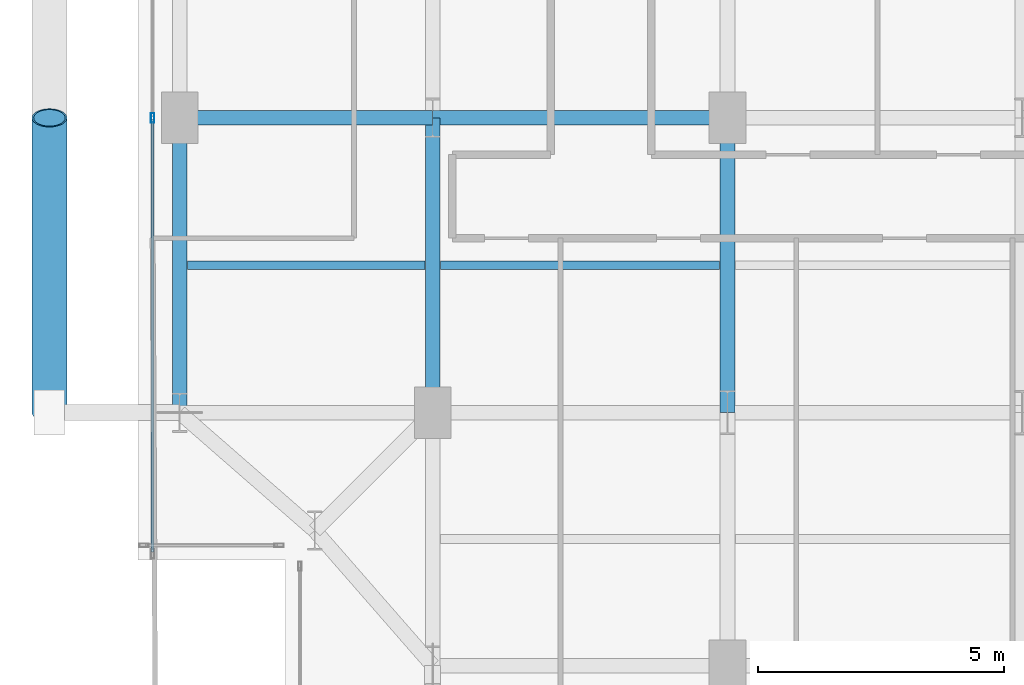
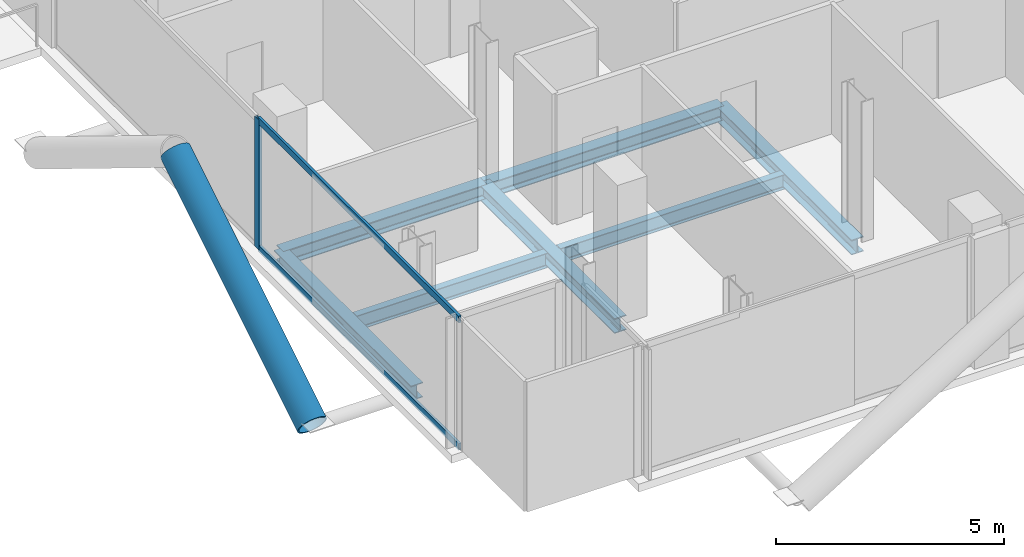
# One storey, part 3 of 26: 7 beams, 4 members, 1 element without a shape of its own.
"""IFC4 building model written with IfcOpenShell, lengths in metres."""

from ifc_helpers import new_model, si_unit, direction, frame, origin, origin_2d, place, context, subcontext, project, spatial, hollow_rectangle, hollow_circle, i_section, extrude, material, layer, layer_set, material_profile, profile_set, type_object, element, aggregate, save


model = new_model("IFC4")

# Units and contexts
model_context = context("Model", 3, precision=1e-05, world=origin(), true_north=direction((0.0, 1.0)))
body_context = subcontext(model_context, "Body", "Model", "MODEL_VIEW")
ifc_project = project(units=[si_unit("LENGTHUNIT", "METRE"), si_unit("AREAUNIT", "SQUARE_METRE"), si_unit("VOLUMEUNIT", "CUBIC_METRE"), si_unit("PLANEANGLEUNIT", "RADIAN"), si_unit("MASSUNIT", "GRAM", prefix="KILO"), si_unit("THERMODYNAMICTEMPERATUREUNIT", "KELVIN"), si_unit("POWERUNIT", "WATT")], contexts=[model_context])

# Site, building, storey
site_placement = place(None, origin())
site = spatial("IfcSite", under=ifc_project, at=site_placement, CompositionType="ELEMENT")
building_placement = place(site_placement, origin())
building = spatial("IfcBuilding", under=site, at=building_placement, Name="Svarakhadi Broadcast Tower", CompositionType="ELEMENT")
storey_placement = place(building_placement, frame((0.0, 0.0, 195.449951171875)))
storey = spatial("IfcBuildingStorey", under=building, at=storey_placement, Name="L48", CompositionType="ELEMENT", Elevation=195.449951171875)

# Beams
ifc_material_1 = material(Name="Steel S355J2 (IS 2062 E350C)", Category="steel")
ifc_material_profile_1 = material_profile(ifc_material_1, i_section(OverallWidth=0.179931640625, OverallDepth=0.39990234375, WebThickness=0.008544921875, FlangeThickness=0.013427734375, FilletRadius=0.02099609375, at=origin_2d()), Name="NPB 400x180x66")
ifc_profile_set_1 = profile_set([ifc_material_profile_1], Name="Steel S355J2 (IS 2062 E350C)")
beam_type_1 = type_object("IfcBeamType", Name="Beam_NPB400", PredefinedType="BEAM", material=ifc_profile_set_1)
beam_1_placement = place(storey_placement, frame((1.010009765625, 9.0, -0.409912109375), z_axis=(1.0, 0.0, 0.0), x_axis=(0.0, 1.0, 0.0)))
element("IfcBeam", 1, at=beam_1_placement, inside=storey, type_object=beam_type_1, Name="L48 Secondary Composite Beam SB001", PredefinedType="BEAM", context=body_context, shape_type="SweptSolid", body=[
    extrude(i_section(OverallWidth=0.179931640625, OverallDepth=0.39990234375, WebThickness=0.008544921875, FlangeThickness=0.013427734375, FilletRadius=0.02099609375, at=origin_2d()), origin(), (0.0, 0.0, 1.0), 4.830078125),
])
beam_2_placement = place(storey_placement, frame((6.159912109375, 9.0, -0.409912109375), z_axis=(1.0, 0.0, 0.0), x_axis=(0.0, 1.0, 0.0)))
element("IfcBeam", 2, at=beam_2_placement, inside=storey, type_object=beam_type_1, Name="L48 Secondary Composite Beam SB006", PredefinedType="BEAM", context=body_context, shape_type="SweptSolid", body=[
    extrude(i_section(OverallWidth=0.179931640625, OverallDepth=0.39990234375, WebThickness=0.008544921875, FlangeThickness=0.013427734375, FilletRadius=0.02099609375, at=origin_2d()), origin(), (0.0, 0.0, 1.0), 5.68017578125),
])

# Curtain wall, members
ifc_material_2 = material(Name="Anodised Bronze Aluminium AA 6063-T6", Category="aluminium")
ifc_layer = layer(ifc_material_2, 0.18994140625)
ifc_layer_set = layer_set([ifc_layer], Name="Anodised Bronze Aluminium AA 6063-T6")
curtain_wall_type = type_object("IfcCurtainWallType", Name="CW_Sys_04", PredefinedType="NOTDEFINED", material=ifc_layer_set)
curtain_wall_placement = place(storey_placement, origin())
curtain_wall = element("IfcCurtainWall", 3, at=curtain_wall_placement, inside=storey, type_object=curtain_wall_type, Name="L48 West Curtain Wall 02", PredefinedType="NOTDEFINED")
ifc_material_profile_2 = material_profile(ifc_material_2, hollow_rectangle(XDim=0.070068359375, YDim=0.18994140625, WallThickness=0.005615234375, at=origin_2d()), Name="ALU MULLION 190x70x6")
ifc_profile_set_2 = profile_set([ifc_material_profile_2], Name="Anodised Bronze Aluminium AA 6063-T6")
member_type_1 = type_object("IfcMemberType", Name="CW_Sys_04_Mul", PredefinedType="MULLION", material=ifc_profile_set_2)
member_1_placement = place(storey_placement, frame((0.300048828125, 12.0, 0.0), z_axis=(0.0, 0.0, 1.0), x_axis=(-1.0, 0.0, 0.0)))
member_1 = element("IfcMember", 4, at=member_1_placement, type_object=member_type_1, Name="CW-04 mullion 2", PredefinedType="MULLION", context=body_context, shape_type="SweptSolid", body=[
    extrude(hollow_rectangle(XDim=0.070068359375, YDim=0.18994140625, WallThickness=0.005615234375, at=origin_2d()), origin(), (0.0, 0.0, 1.0), 3.47509765625),
])
ifc_material_profile_3 = material_profile(ifc_material_2, hollow_rectangle(XDim=0.06494140625, YDim=0.175048828125, WallThickness=0.0048828125, at=origin_2d()), Name="ALU TRANSOM 175x65x5")
ifc_profile_set_3 = profile_set([ifc_material_profile_3], Name="Anodised Bronze Aluminium AA 6063-T6")
member_type_2 = type_object("IfcMemberType", Name="CW_Sys_04_Trn", PredefinedType="USERDEFINED", material=ifc_profile_set_3)
member_2_placement = place(storey_placement, frame((0.300048828125, 3.159912109375, 0.032470703125), z_axis=(0.0, 1.0, 0.0), x_axis=(-1.0, 0.0, 0.0)))
member_2 = element("IfcMember", 5, at=member_2_placement, type_object=member_type_2, Name="CW-04 transom 1.1", ObjectType="TRANSOM", PredefinedType="USERDEFINED", context=body_context, shape_type="SweptSolid", body=[
    extrude(hollow_rectangle(XDim=0.06494140625, YDim=0.175048828125, WallThickness=0.0048828125, at=origin_2d()), origin(), (0.0, 0.0, 1.0), 8.80517578125),
])
member_3_placement = place(storey_placement, frame((0.300048828125, 3.159912109375, 3.442626953125), z_axis=(0.0, 1.0, 0.0), x_axis=(-1.0, 0.0, 0.0)))
member_3 = element("IfcMember", 6, at=member_3_placement, type_object=member_type_2, Name="CW-04 transom 1.2", ObjectType="TRANSOM", PredefinedType="USERDEFINED", context=body_context, shape_type="SweptSolid", body=[
    extrude(hollow_rectangle(XDim=0.06494140625, YDim=0.175048828125, WallThickness=0.0048828125, at=origin_2d()), origin(), (0.0, 0.0, 1.0), 8.80517578125),
])
aggregate(curtain_wall, [member_1, member_2, member_3])

# Member
ifc_material_3 = material(Name="Steel S460ML (IS 2062 E450BR)", Category="steel")
ifc_material_profile_4 = material_profile(ifc_material_3, hollow_circle(Radius=0.35546875, WallThickness=0.034912109375, at=origin_2d()), Name="CHS 711x35")
ifc_profile_set_4 = profile_set([ifc_material_profile_4], Name="Steel S460ML (IS 2062 E450BR)")
member_type_3 = type_object("IfcMemberType", Name="Exo_Brace_CHS711", PredefinedType="BRACE", material=ifc_profile_set_4)
member_4_placement = place(storey_placement, frame((-1.800048828125, 6.0, -0.371826171875), z_axis=(0.0, 0.852132977326, 0.523325318472), x_axis=(-1.0, 0.0, 0.0)))
element("IfcMember", 7, at=member_4_placement, inside=storey, type_object=member_type_3, Name="L48 Exposed Bronze Exoskeleton Diagonal W04", PredefinedType="BRACE", context=body_context, shape_type="SweptSolid", body=[
    extrude(hollow_circle(Radius=0.35546875, WallThickness=0.034912109375, at=origin_2d()), origin(), (0.0, 0.0, 1.0), 7.041259765625),
])

# Beams
ifc_material_profile_5 = material_profile(ifc_material_1, i_section(OverallWidth=0.300048828125, OverallDepth=0.39990234375, WebThickness=0.013427734375, FlangeThickness=0.02392578125, FilletRadius=0.027099609375, at=origin_2d()), Name="WPB 400x300x155")
ifc_profile_set_5 = profile_set([ifc_material_profile_5], Name="Steel S355J2 (IS 2062 E350C)")
beam_type_2 = type_object("IfcBeamType", Name="Girder_WPB400", PredefinedType="USERDEFINED", material=ifc_profile_set_5)
beam_3_placement = place(storey_placement, frame((0.85009765625, 12.0, -0.409912109375), z_axis=(1.0, 0.0, 0.0), x_axis=(0.0, 1.0, 0.0)))
element("IfcBeam", 8, at=beam_3_placement, inside=storey, type_object=beam_type_2, Name="L48 Primary E-W Girder G015", ObjectType="GIRDER", PredefinedType="USERDEFINED", context=body_context, shape_type="SweptSolid", body=[
    extrude(i_section(OverallWidth=0.300048828125, OverallDepth=0.39990234375, WebThickness=0.013427734375, FlangeThickness=0.02392578125, FilletRadius=0.027099609375, at=origin_2d()), origin(), (0.0, 0.0, 1.0), 5.14990234375),
])
for number, where, z_axis, x_axis, name in (
    (9, (6.0, 12.0, -0.409912109375), (1.0, 0.0, 0.0), (0.0, 1.0, 0.0), "L48 Primary E-W Girder G016"),
    (10, (0.85009765625, 6.0, -0.409912109375), (0.0, 1.0, 0.0), (-1.0, 0.0, 0.0), "L48 Primary N-S Girder G033"),
    (11, (6.0, 6.0, -0.409912109375), (0.0, 1.0, 0.0), (-1.0, 0.0, 0.0), "L48 Primary N-S Girder G038"),
    (12, (12.0, 6.0, -0.409912109375), (0.0, 1.0, 0.0), (-1.0, 0.0, 0.0), "L48 Primary N-S Girder G043"),
):
    element("IfcBeam", number, at=place(storey_placement, frame(where, z_axis=z_axis, x_axis=x_axis)), inside=storey, type_object=beam_type_2, Name=name, ObjectType="GIRDER", PredefinedType="USERDEFINED", context=body_context, shape_type="SweptSolid", body=[
        extrude(i_section(OverallWidth=0.300048828125, OverallDepth=0.39990234375, WebThickness=0.013427734375, FlangeThickness=0.02392578125, FilletRadius=0.027099609375, at=origin_2d()), origin(), (0.0, 0.0, 1.0), 6.0),
    ])

save(model, "model.ifc")
